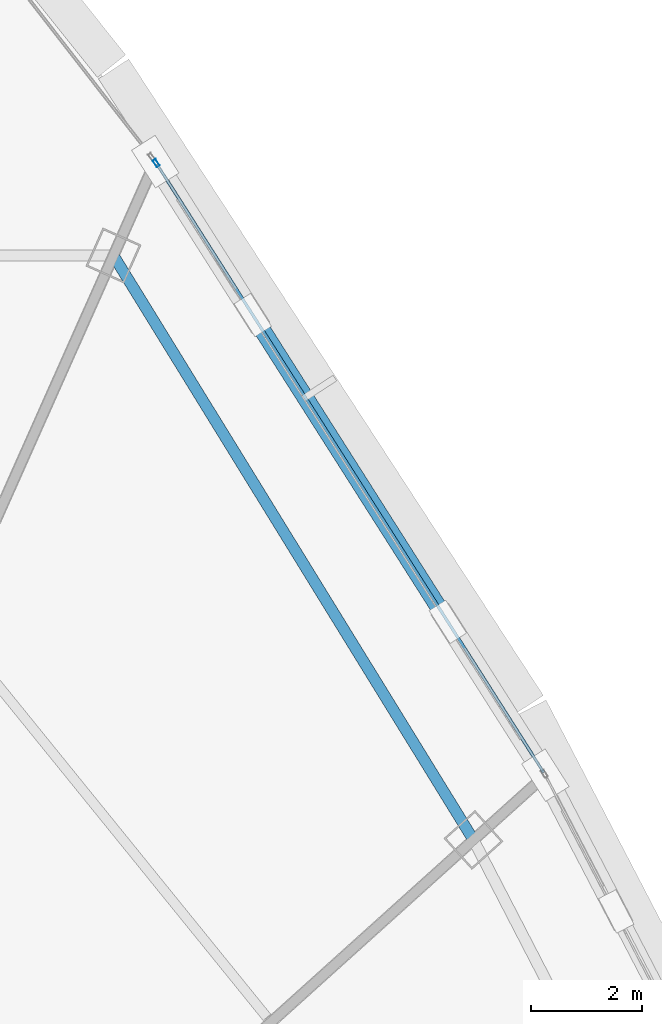
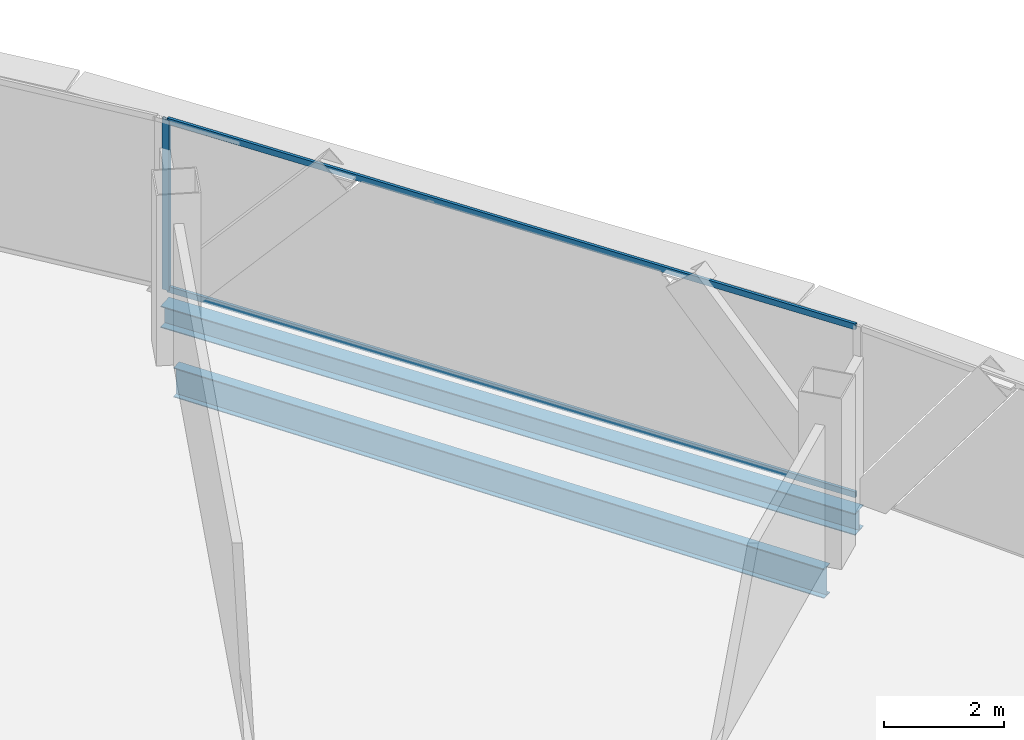
# One storey, part 24 of 35: 3 members, 2 beams, 1 element without a shape of its own.
"""IFC4 building model written with IfcOpenShell, lengths in metres."""

from ifc_helpers import new_model, si_unit, direction, frame, origin, origin_2d, place, context, subcontext, project, spatial, hollow_rectangle, i_section, extrude, source, transform, mapped, material, layer, layer_set, material_profile, profile_set, type_object, element, aggregate, save


model = new_model("IFC4")

# Units and contexts
model_context = context("Model", 3, precision=1e-05, world=origin(), true_north=direction((0.0, 1.0)))
body_context = subcontext(model_context, "Body", "Model", "MODEL_VIEW")
ifc_project = project(units=[si_unit("LENGTHUNIT", "METRE"), si_unit("AREAUNIT", "SQUARE_METRE"), si_unit("VOLUMEUNIT", "CUBIC_METRE"), si_unit("PLANEANGLEUNIT", "RADIAN"), si_unit("MASSUNIT", "GRAM", prefix="KILO"), si_unit("THERMODYNAMICTEMPERATUREUNIT", "KELVIN"), si_unit("POWERUNIT", "WATT")], contexts=[model_context])

# Site, building, storey
site_placement = place(None, origin())
site = spatial("IfcSite", under=ifc_project, at=site_placement, CompositionType="ELEMENT")
building_placement = place(site_placement, origin())
building = spatial("IfcBuilding", under=site, at=building_placement, Name="Yunzhuo Pagoda Commons", CompositionType="ELEMENT")
storey_placement = place(building_placement, frame((0.0, 0.0, 303.669921875)))
storey = spatial("IfcBuildingStorey", under=building, at=storey_placement, Name="L76", CompositionType="ELEMENT", Elevation=303.669921875)

# Beams
ifc_material_1 = material(Name="Structural steel Q355B", Category="steel")
ifc_material_profile_1 = material_profile(ifc_material_1, i_section(OverallWidth=0.199951171875, OverallDepth=0.60009765625, WebThickness=0.010986328125, FlangeThickness=0.01708984375, at=origin_2d()), Name="Structural steel Q355B")
ifc_profile_set_1 = profile_set([ifc_material_profile_1], Name="Structural steel Q355B")
beam_type_1 = type_object("IfcBeamType", Name="B-RG3 Beam HN 600x200x11x17", PredefinedType="BEAM", material=ifc_profile_set_1)
shared_shape_1 = source(origin(), body_context, "Body", "SweptSolid", [
    extrude(i_section(OverallWidth=0.199951171875, OverallDepth=0.60009765625, WebThickness=0.010986328125, FlangeThickness=0.01708984375, at=origin_2d()), origin(), (0.0, 0.0, 1.0), 12.315185546875),
])
beam_1_placement = place(storey_placement, frame((66.5732421875, 50.423583984375, -0.559814453125), z_axis=(-0.524469015689, 0.851429534126, 0.0), x_axis=(-0.851429534126, -0.524469015689, 0.0)))
element("IfcBeam", 1, at=beam_1_placement, inside=storey, type_object=beam_type_1, Name="L76 column-ring beam 7", PredefinedType="BEAM", context=body_context, shape_type="MappedRepresentation", body=[
    mapped(shared_shape_1, transform((0.0, 0.0, 0.0), scale=1.0)),
])
ifc_material_profile_2 = material_profile(ifc_material_1, i_section(OverallWidth=0.300048828125, OverallDepth=0.43994140625, WebThickness=0.010986328125, FlangeThickness=0.01806640625, at=origin_2d()), Name="Structural steel Q355B")
ifc_profile_set_2 = profile_set([ifc_material_profile_2], Name="Structural steel Q355B")
beam_type_2 = type_object("IfcBeamType", Name="B-SP2 Beam HM 440x300x11x18", PredefinedType="BEAM", material=ifc_profile_set_2)
shared_shape_2 = source(origin(), body_context, "Body", "SweptSolid", [
    extrude(i_section(OverallWidth=0.300048828125, OverallDepth=0.43994140625, WebThickness=0.010986328125, FlangeThickness=0.01806640625, at=origin_2d()), origin(), (0.0, 0.0, 1.0), 13.04541015625),
])
beam_2_placement = place(storey_placement, frame((67.86328125, 51.5849609375, -0.47998046875), z_axis=(-0.536495198362, 0.84390337251, 0.0), x_axis=(-0.84390337251, -0.536495198362, 0.0)))
element("IfcBeam", 2, at=beam_2_placement, inside=storey, type_object=beam_type_2, Name="L76 facade edge spandrel beam F2.3", PredefinedType="BEAM", context=body_context, shape_type="MappedRepresentation", body=[
    mapped(shared_shape_2, transform((0.0, 0.0, 0.0), scale=1.0)),
])

# Curtain wall, members
ifc_material_2 = material(Name="Anodized aluminium 6063-T6", Category="aluminium")
ifc_layer = layer(ifc_material_2, 0.139892578125)
ifc_layer_set = layer_set([ifc_layer], Name="Anodized aluminium 6063-T6")
curtain_wall_type = type_object("IfcCurtainWallType", Name="CW-HI High-Zone Ribbon Curtain Wall", PredefinedType="NOTDEFINED", material=ifc_layer_set)
curtain_wall_placement = place(storey_placement, origin())
curtain_wall = element("IfcCurtainWall", 3, at=curtain_wall_placement, inside=storey, type_object=curtain_wall_type, Name="L76 curtain wall CW-L76-F2B4", PredefinedType="NOTDEFINED")
ifc_material_profile_3 = material_profile(ifc_material_2, hollow_rectangle(XDim=0.06005859375, YDim=0.139892578125, WallThickness=0.00341796875, at=origin_2d()), Name="Anodized aluminium 6063-T6")
ifc_profile_set_3 = profile_set([ifc_material_profile_3], Name="Anodized aluminium 6063-T6")
member_type_1 = type_object("IfcMemberType", Name="CW-HI-M Mullion RHS 140x60x3.5", PredefinedType="MULLION", material=ifc_profile_set_3)
shared_shape_3 = source(origin(), body_context, "Body", "SweptSolid", [
    extrude(hollow_rectangle(XDim=0.06005859375, YDim=0.139892578125, WallThickness=0.00341796875, at=origin_2d()), origin(), (0.0, 0.0, 1.0), 3.469970703125),
])
member_1_placement = place(storey_placement, frame((60.880615234375, 62.56884765625, 0.0), z_axis=(0.0, 0.0, 1.0), x_axis=(-0.843909804597, -0.536485080599, 0.0)))
member_1 = element("IfcMember", 4, at=member_1_placement, type_object=member_type_1, Name="CW mullion 2", PredefinedType="MULLION", context=body_context, shape_type="MappedRepresentation", body=[
    mapped(shared_shape_3, transform((0.0, 0.0, 0.0), scale=1.0)),
])
ifc_material_profile_4 = material_profile(ifc_material_2, hollow_rectangle(XDim=0.054931640625, YDim=0.1201171875, WallThickness=0.00341796875, at=origin_2d()), Name="Anodized aluminium 6063-T6")
ifc_profile_set_4 = profile_set([ifc_material_profile_4], Name="Anodized aluminium 6063-T6")
member_type_2 = type_object("IfcMemberType", Name="CW-HI-T Transom RHS 120x55x3.5", PredefinedType="USERDEFINED", material=ifc_profile_set_4)
shared_shape_4 = source(origin(), body_context, "Body", "SweptSolid", [
    extrude(hollow_rectangle(XDim=0.054931640625, YDim=0.1201171875, WallThickness=0.00341796875, at=origin_2d()), origin(), (0.0, 0.0, 1.0), 12.92529296875),
])
member_2_placement = place(storey_placement, frame((67.8310546875, 51.635498046875, 0.027587890625), z_axis=(-0.536470883465, 0.84391882974, 0.0), x_axis=(-0.84391882974, -0.536470883465, 0.0)))
member_2 = element("IfcMember", 5, at=member_2_placement, type_object=member_type_2, Name="CW transom 1.1", ObjectType="TRANSOM", PredefinedType="USERDEFINED", context=body_context, shape_type="MappedRepresentation", body=[
    mapped(shared_shape_4, transform((0.0, 0.0, 0.0), scale=1.0)),
])
member_3_placement = place(storey_placement, frame((67.8310546875, 51.635498046875, 3.442626953125), z_axis=(-0.536470883465, 0.84391882974, 0.0), x_axis=(-0.84391882974, -0.536470883465, 0.0)))
member_3 = element("IfcMember", 6, at=member_3_placement, type_object=member_type_2, Name="CW transom 1.2", ObjectType="TRANSOM", PredefinedType="USERDEFINED", context=body_context, shape_type="MappedRepresentation", body=[
    mapped(shared_shape_4, transform((0.0, 0.0, 0.0), scale=1.0)),
])
aggregate(curtain_wall, [member_1, member_2, member_3])

save(model, "model.ifc")
